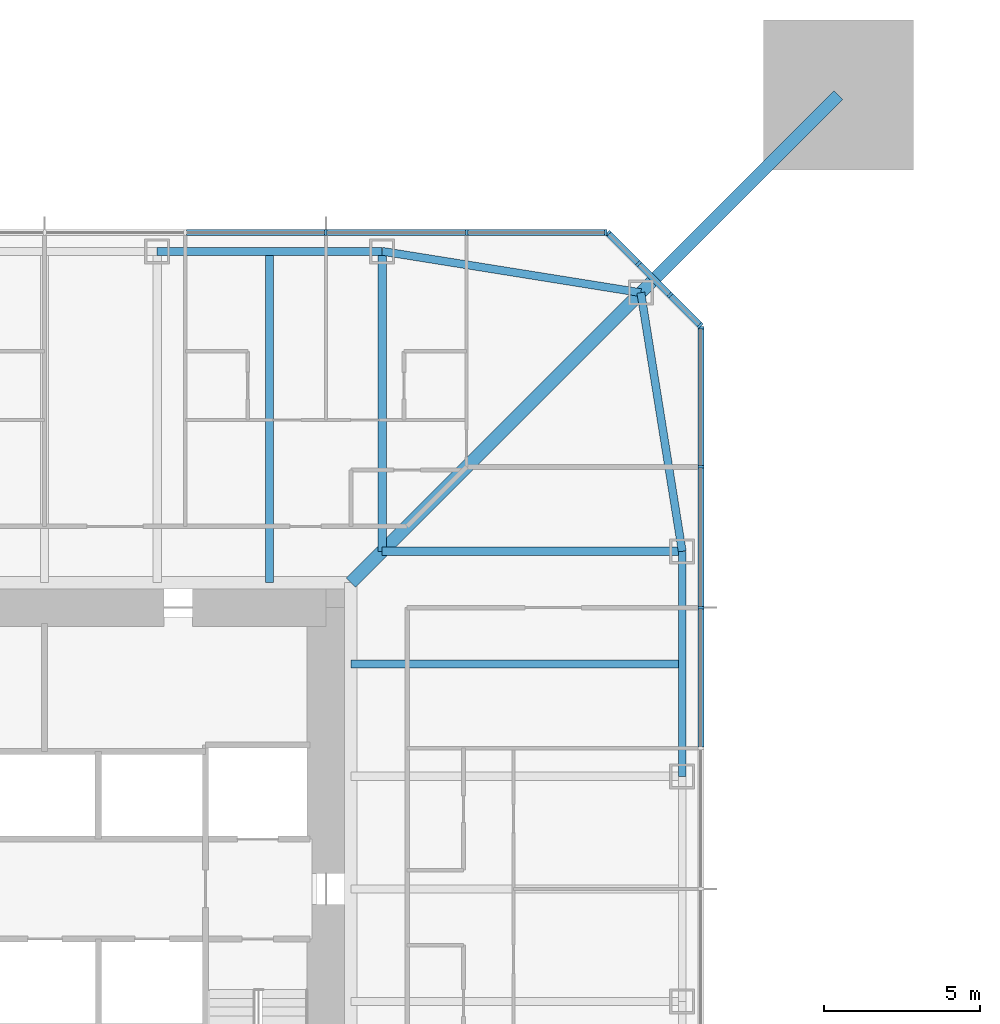
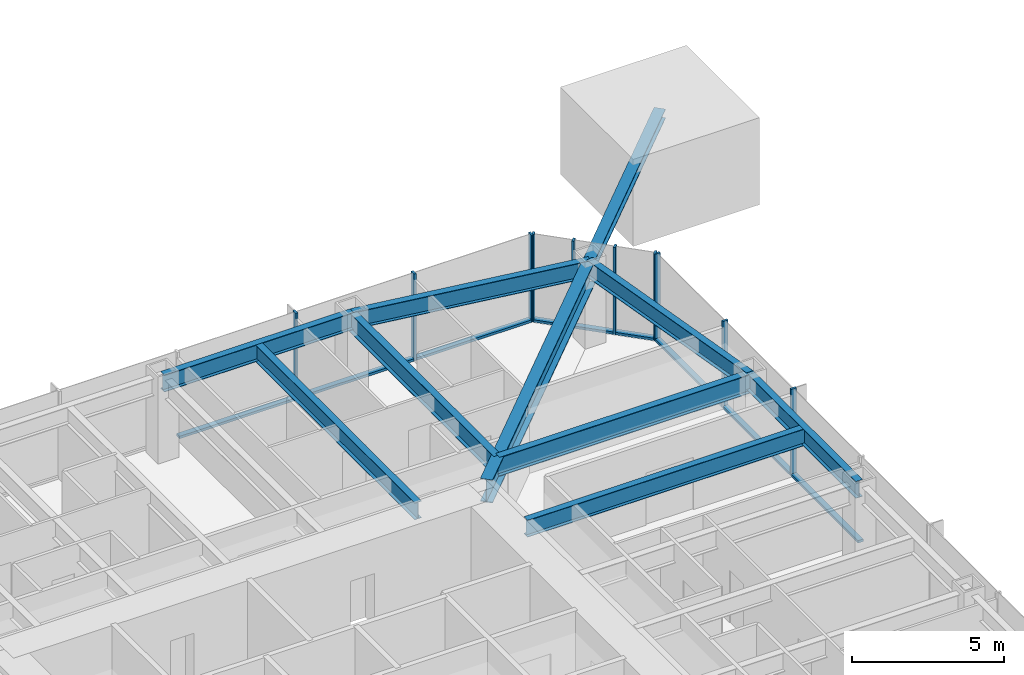
# One storey, part 7 of 25: 20 members, 9 beams, 3 elements without a shape of their own.
"""IFC4 building model written with IfcOpenShell, lengths in metres."""

from ifc_helpers import new_model, si_unit, direction, frame, origin, origin_2d, place, context, subcontext, project, spatial, rectangle, i_section, extrude, material, material_profile, profile_set, type_object, element, aggregate, save


model = new_model("IFC4")

# Units and contexts
model_context = context("Model", 3, precision=1e-05, world=origin(), true_north=direction((0.0, 1.0)))
body_context = subcontext(model_context, "Body", "Model", "MODEL_VIEW")
ifc_project = project(units=[si_unit("LENGTHUNIT", "METRE"), si_unit("AREAUNIT", "SQUARE_METRE"), si_unit("VOLUMEUNIT", "CUBIC_METRE"), si_unit("PLANEANGLEUNIT", "RADIAN"), si_unit("MASSUNIT", "GRAM", prefix="KILO")], contexts=[model_context])

# Site, building, storey
site_placement = place(None, origin())
site = spatial("IfcSite", under=ifc_project, at=site_placement, CompositionType="ELEMENT")
building_placement = place(site_placement, origin())
building = spatial("IfcBuilding", under=site, at=building_placement, Name="Iwan Alto Co-Living Towers", CompositionType="ELEMENT")
storey_placement = place(building_placement, frame((0.0, 0.0, 108.5)))
storey = spatial("IfcBuildingStorey", under=building, at=storey_placement, Name="L29", CompositionType="ELEMENT", Elevation=108.5)

# Curtain wall, members
ifc_material_1 = material(Name="Bronze aluminium unitised frame", Category="aluminium")
curtain_wall_type_1 = type_object("IfcCurtainWallType", Name="CURTAIN WALL CW-A", PredefinedType="NOTDEFINED", material=ifc_material_1)
curtain_wall_1_placement = place(storey_placement, origin())
curtain_wall_1 = element("IfcCurtainWall", 1, at=curtain_wall_1_placement, inside=storey, type_object=curtain_wall_type_1, Name="T1 curtain wall E L29", PredefinedType="NOTDEFINED")
ifc_material_2 = material(Name="Aluminium 6063-T6 bronze anodised", Category="aluminium")
ifc_material_profile_1 = material_profile(ifc_material_2, rectangle(XDim=0.199951171875, YDim=0.080078125, at=origin_2d()), Name="AL 80X200")
ifc_profile_set_1 = profile_set([ifc_material_profile_1], Name="Aluminium 6063-T6 bronze anodised")
member_type_1 = type_object("IfcMemberType", Name="CW-A MULLION 80X200", PredefinedType="MULLION", material=ifc_profile_set_1)
member_1_placement = place(storey_placement, frame((21.0, 9.0, 0.0), z_axis=(0.0, 0.0, 1.0), x_axis=(-1.0, 0.0, 0.0)))
member_1 = element("IfcMember", 2, at=member_1_placement, type_object=member_type_1, Name="CW-A mullion 7", PredefinedType="MULLION", context=body_context, shape_type="SweptSolid", body=[
    extrude(rectangle(XDim=0.199951171875, YDim=0.080078125, at=origin_2d()), origin(), (0.0, 0.0, 1.0), 3.5),
])
member_2_placement = place(storey_placement, frame((21.0, 13.5, 0.0), z_axis=(0.0, 0.0, 1.0), x_axis=(-1.0, 0.0, 0.0)))
member_2 = element("IfcMember", 3, at=member_2_placement, type_object=member_type_1, Name="CW-A mullion 8", PredefinedType="MULLION", context=body_context, shape_type="SweptSolid", body=[
    extrude(rectangle(XDim=0.199951171875, YDim=0.080078125, at=origin_2d()), origin(), (0.0, 0.0, 1.0), 3.5),
])
member_3_placement = place(storey_placement, frame((21.0, 17.9599609375, 0.0), z_axis=(0.0, 0.0, 1.0), x_axis=(-1.0, 0.0, 0.0)))
member_3 = element("IfcMember", 4, at=member_3_placement, type_object=member_type_1, Name="CW-A mullion 9", PredefinedType="MULLION", context=body_context, shape_type="SweptSolid", body=[
    extrude(rectangle(XDim=0.199951171875, YDim=0.080078125, at=origin_2d()), origin(), (0.0, 0.0, 1.0), 3.5),
])

curtain_wall_2_placement = place(storey_placement, origin())
curtain_wall_2 = element("IfcCurtainWall", 5, at=curtain_wall_2_placement, inside=storey, type_object=curtain_wall_type_1, Name="T1 curtain wall N L29", PredefinedType="NOTDEFINED")
member_4_placement = place(storey_placement, frame((17.9599609375, 21.0, 0.0), z_axis=(0.0, 0.0, 1.0), x_axis=(0.0, -1.0, 0.0)))
member_4 = element("IfcMember", 6, at=member_4_placement, type_object=member_type_1, Name="CW-A mullion 1", PredefinedType="MULLION", context=body_context, shape_type="SweptSolid", body=[
    extrude(rectangle(XDim=0.199951171875, YDim=0.080078125, at=origin_2d()), origin(), (0.0, 0.0, 1.0), 3.5),
])
member_5_placement = place(storey_placement, frame((13.5, 21.0, 0.0), z_axis=(0.0, 0.0, 1.0), x_axis=(0.0, -1.0, 0.0)))
member_5 = element("IfcMember", 7, at=member_5_placement, type_object=member_type_1, Name="CW-A mullion 2", PredefinedType="MULLION", context=body_context, shape_type="SweptSolid", body=[
    extrude(rectangle(XDim=0.199951171875, YDim=0.080078125, at=origin_2d()), origin(), (0.0, 0.0, 1.0), 3.5),
])
member_6_placement = place(storey_placement, frame((9.0, 21.0, 0.0), z_axis=(0.0, 0.0, 1.0), x_axis=(0.0, -1.0, 0.0)))
member_6 = element("IfcMember", 8, at=member_6_placement, type_object=member_type_1, Name="CW-A mullion 3", PredefinedType="MULLION", context=body_context, shape_type="SweptSolid", body=[
    extrude(rectangle(XDim=0.199951171875, YDim=0.080078125, at=origin_2d()), origin(), (0.0, 0.0, 1.0), 3.5),
])

# Member
ifc_material_3 = material(Name="Aluminium 6063-T6 bronze anodised", Category="aluminium")
ifc_material_profile_2 = material_profile(ifc_material_3, rectangle(XDim=0.199951171875, YDim=0.10009765625, at=origin_2d()), Name="AL 200X100")
ifc_profile_set_2 = profile_set([ifc_material_profile_2], Name="Aluminium 6063-T6 bronze anodised")
member_type_2 = type_object("IfcMemberType", Name="CW-A TRANSOM 200X100", PredefinedType="USERDEFINED", material=ifc_profile_set_2)
member_7_placement = place(storey_placement, frame((21.0, 4.5400390625, 0.050048828125), z_axis=(0.0, 1.0, 0.0), x_axis=(-1.0, 0.0, 0.0)))
member_7 = element("IfcMember", 9, at=member_7_placement, type_object=member_type_2, Name="CW-A transom 6.1", ObjectType="TRANSOM", PredefinedType="USERDEFINED", context=body_context, shape_type="SweptSolid", body=[
    extrude(rectangle(XDim=0.199951171875, YDim=0.10009765625, at=origin_2d()), origin(), (0.0, 0.0, 1.0), 4.419921875),
])

member_8_placement = place(storey_placement, frame((21.0, 9.0400390625, 0.050048828125), z_axis=(0.0, 1.0, 0.0), x_axis=(-1.0, 0.0, 0.0)))
member_8 = element("IfcMember", 10, at=member_8_placement, type_object=member_type_2, Name="CW-A transom 7.1", ObjectType="TRANSOM", PredefinedType="USERDEFINED", context=body_context, shape_type="SweptSolid", body=[
    extrude(rectangle(XDim=0.199951171875, YDim=0.10009765625, at=origin_2d()), origin(), (0.0, 0.0, 1.0), 4.419921875),
])

member_9_placement = place(storey_placement, frame((21.0, 13.5400390625, 0.050048828125), z_axis=(0.0, 1.0, 0.0), x_axis=(-1.0, 0.0, 0.0)))
member_9 = element("IfcMember", 11, at=member_9_placement, type_object=member_type_2, Name="CW-A transom 8.1", ObjectType="TRANSOM", PredefinedType="USERDEFINED", context=body_context, shape_type="SweptSolid", body=[
    extrude(rectangle(XDim=0.199951171875, YDim=0.10009765625, at=origin_2d()), origin(), (0.0, 0.0, 1.0), 4.3798828125),
])

aggregate(curtain_wall_1, [member_1, member_2, member_3, member_7, member_8, member_9])

member_10_placement = place(storey_placement, frame((17.919921875, 21.0, 0.050048828125), z_axis=(-1.0, 0.0, 0.0), x_axis=(0.0, -1.0, 0.0)))
member_10 = element("IfcMember", 12, at=member_10_placement, type_object=member_type_2, Name="CW-A transom 1.1", ObjectType="TRANSOM", PredefinedType="USERDEFINED", context=body_context, shape_type="SweptSolid", body=[
    extrude(rectangle(XDim=0.199951171875, YDim=0.10009765625, at=origin_2d()), origin(), (0.0, 0.0, 1.0), 4.3798828125),
])

member_11_placement = place(storey_placement, frame((13.4599609375, 21.0, 0.050048828125), z_axis=(-1.0, 0.0, 0.0), x_axis=(0.0, -1.0, 0.0)))
member_11 = element("IfcMember", 13, at=member_11_placement, type_object=member_type_2, Name="CW-A transom 2.1", ObjectType="TRANSOM", PredefinedType="USERDEFINED", context=body_context, shape_type="SweptSolid", body=[
    extrude(rectangle(XDim=0.199951171875, YDim=0.10009765625, at=origin_2d()), origin(), (0.0, 0.0, 1.0), 4.419921875),
])

member_12_placement = place(storey_placement, frame((8.9599609375, 21.0, 0.050048828125), z_axis=(-1.0, 0.0, 0.0), x_axis=(0.0, -1.0, 0.0)))
member_12 = element("IfcMember", 14, at=member_12_placement, type_object=member_type_2, Name="CW-A transom 3.1", ObjectType="TRANSOM", PredefinedType="USERDEFINED", context=body_context, shape_type="SweptSolid", body=[
    extrude(rectangle(XDim=0.199951171875, YDim=0.10009765625, at=origin_2d()), origin(), (0.0, 0.0, 1.0), 4.419921875),
])

aggregate(curtain_wall_2, [member_4, member_5, member_6, member_10, member_11, member_12])

# Curtain wall, members
ifc_material_4 = material(Name="Bronze aluminium unitised frame", Category="aluminium")
curtain_wall_type_2 = type_object("IfcCurtainWallType", Name="CURTAIN WALL CW-B", PredefinedType="NOTDEFINED", material=ifc_material_4)
curtain_wall_3_placement = place(storey_placement, origin())
curtain_wall_3 = element("IfcCurtainWall", 15, at=curtain_wall_3_placement, inside=storey, type_object=curtain_wall_type_2, Name="T1 chamfer curtain wall NE L29", PredefinedType="NOTDEFINED")
ifc_material_5 = material(Name="Aluminium 6063-T6 bronze anodised", Category="aluminium")
ifc_material_profile_3 = material_profile(ifc_material_5, rectangle(XDim=0.199951171875, YDim=0.080078125, at=origin_2d()), Name="AL 80X200")
ifc_profile_set_3 = profile_set([ifc_material_profile_3], Name="Aluminium 6063-T6 bronze anodised")
member_type_3 = type_object("IfcMemberType", Name="CW-B MULLION 80X200", PredefinedType="MULLION", material=ifc_profile_set_3)
member_13_placement = place(storey_placement, frame((20.9716796875, 18.0283203125, 0.0), z_axis=(0.0, 0.0, 1.0), x_axis=(-0.707106781187, -0.707106781187, 0.0)))
member_13 = element("IfcMember", 16, at=member_13_placement, type_object=member_type_3, Name="CW-B mullion 1", PredefinedType="MULLION", context=body_context, shape_type="SweptSolid", body=[
    extrude(rectangle(XDim=0.199951171875, YDim=0.080078125, at=origin_2d()), origin(), (0.0, 0.0, 1.0), 3.5),
])
member_14_placement = place(storey_placement, frame((20.0, 19.0, 0.0), z_axis=(0.0, 0.0, 1.0), x_axis=(-0.707106781187, -0.707106781187, 0.0)))
member_14 = element("IfcMember", 17, at=member_14_placement, type_object=member_type_3, Name="CW-B mullion 2", PredefinedType="MULLION", context=body_context, shape_type="SweptSolid", body=[
    extrude(rectangle(XDim=0.199951171875, YDim=0.080078125, at=origin_2d()), origin(), (0.0, 0.0, 1.0), 3.5),
])
member_15_placement = place(storey_placement, frame((19.0, 20.0, 0.0), z_axis=(0.0, 0.0, 1.0), x_axis=(-0.707106781187, -0.707106781187, 0.0)))
member_15 = element("IfcMember", 18, at=member_15_placement, type_object=member_type_3, Name="CW-B mullion 3", PredefinedType="MULLION", context=body_context, shape_type="SweptSolid", body=[
    extrude(rectangle(XDim=0.199951171875, YDim=0.080078125, at=origin_2d()), origin(), (0.0, 0.0, 1.0), 3.5),
])
member_16_placement = place(storey_placement, frame((18.0283203125, 20.9716796875, 0.0), z_axis=(0.0, 0.0, 1.0), x_axis=(-0.707106781187, -0.707106781187, 0.0)))
member_16 = element("IfcMember", 19, at=member_16_placement, type_object=member_type_3, Name="CW-B mullion 4", PredefinedType="MULLION", context=body_context, shape_type="SweptSolid", body=[
    extrude(rectangle(XDim=0.199951171875, YDim=0.080078125, at=origin_2d()), origin(), (0.0, 0.0, 1.0), 3.5),
])
ifc_material_6 = material(Name="Aluminium 6063-T6 bronze anodised", Category="aluminium")
ifc_material_profile_4 = material_profile(ifc_material_6, rectangle(XDim=0.199951171875, YDim=0.10009765625, at=origin_2d()), Name="AL 200X100")
ifc_profile_set_4 = profile_set([ifc_material_profile_4], Name="Aluminium 6063-T6 bronze anodised")
member_type_4 = type_object("IfcMemberType", Name="CW-B TRANSOM 200X100", PredefinedType="USERDEFINED", material=ifc_profile_set_4)
member_17_placement = place(storey_placement, frame((20.943359375, 18.056640625, 0.050048828125), z_axis=(-0.707106781187, 0.707106781187, 0.0), x_axis=(-0.707106781187, -0.707106781187, 0.0)))
member_17 = element("IfcMember", 20, at=member_17_placement, type_object=member_type_4, Name="CW-B transom 1.1", ObjectType="TRANSOM", PredefinedType="USERDEFINED", context=body_context, shape_type="SweptSolid", body=[
    extrude(rectangle(XDim=0.199951171875, YDim=0.10009765625, at=origin_2d()), origin(), (0.0, 0.0, 1.0), 1.2939453125),
])
member_18_placement = place(storey_placement, frame((19.9716796875, 19.0283203125, 0.050048828125), z_axis=(-0.707106781187, 0.707106781187, 0.0), x_axis=(-0.707106781187, -0.707106781187, 0.0)))
member_18 = element("IfcMember", 21, at=member_18_placement, type_object=member_type_4, Name="CW-B transom 2.1", ObjectType="TRANSOM", PredefinedType="USERDEFINED", context=body_context, shape_type="SweptSolid", body=[
    extrude(rectangle(XDim=0.199951171875, YDim=0.10009765625, at=origin_2d()), origin(), (0.0, 0.0, 1.0), 1.334228515625),
])
member_19_placement = place(storey_placement, frame((18.9716796875, 20.0283203125, 0.050048828125), z_axis=(-0.707106781187, 0.707106781187, 0.0), x_axis=(-0.707106781187, -0.707106781187, 0.0)))
member_19 = element("IfcMember", 22, at=member_19_placement, type_object=member_type_4, Name="CW-B transom 3.1", ObjectType="TRANSOM", PredefinedType="USERDEFINED", context=body_context, shape_type="SweptSolid", body=[
    extrude(rectangle(XDim=0.199951171875, YDim=0.10009765625, at=origin_2d()), origin(), (0.0, 0.0, 1.0), 1.2939453125),
])
aggregate(curtain_wall_3, [member_13, member_14, member_15, member_16, member_17, member_18, member_19])

# Beams
ifc_material_7 = material(Name="Steel ASTM A992 Gr 50", Category="steel")
ifc_material_profile_5 = material_profile(ifc_material_7, i_section(OverallWidth=0.419189453125, OverallDepth=0.927001953125, WebThickness=0.019287109375, FlangeThickness=0.031982421875, at=origin_2d()), Name="W36X231")
ifc_profile_set_5 = profile_set([ifc_material_profile_5], Name="Steel ASTM A992 Gr 50")
beam_type_1 = type_object("IfcBeamType", Name="T1 CORNER GIRDER W36X231", PredefinedType="BEAM", material=ifc_profile_set_5)
beam_1_placement = place(storey_placement, frame((19.07568359375, 19.07568359375, 2.806396484375), z_axis=(-0.707106781187, -0.707106781187, 0.0), x_axis=(0.707106781187, -0.707106781187, 0.0)))
element("IfcBeam", 23, at=beam_1_placement, inside=storey, type_object=beam_type_1, Name="T1 corner girder CNE L30", PredefinedType="BEAM", context=body_context, shape_type="SweptSolid", body=[
    extrude(i_section(OverallWidth=0.419189453125, OverallDepth=0.927001953125, WebThickness=0.019287109375, FlangeThickness=0.031982421875, at=origin_2d()), origin(), (0.0, 0.0, 1.0), 13.11865234375),
])
ifc_material_8 = material(Name="Steel ASTM A992 Gr 50", Category="steel")
ifc_material_profile_6 = material_profile(ifc_material_8, i_section(OverallWidth=0.25390625, OverallDepth=0.683349609375, WebThickness=0.012451171875, FlangeThickness=0.018798828125, at=origin_2d()), Name="W27X94")
ifc_profile_set_6 = profile_set([ifc_material_profile_6], Name="Steel ASTM A992 Gr 50")
beam_type_2 = type_object("IfcBeamType", Name="T1 EDGE BEAM W27X94", PredefinedType="BEAM", material=ifc_profile_set_6)
beam_2_placement = place(storey_placement, frame((20.39990234375, 3.60009765625, 2.928466796875), z_axis=(0.0, 1.0, 0.0), x_axis=(-1.0, 0.0, 0.0)))
element("IfcBeam", 24, at=beam_2_placement, inside=storey, type_object=beam_type_2, Name="T1 edge beam E3 L30", PredefinedType="BEAM", context=body_context, shape_type="SweptSolid", body=[
    extrude(i_section(OverallWidth=0.25390625, OverallDepth=0.683349609375, WebThickness=0.012451171875, FlangeThickness=0.018798828125, at=origin_2d()), origin(), (0.0, 0.0, 1.0), 7.199951171875),
])
for number, where, z_axis, x_axis, name in (
    (25, (20.39990234375, 10.800048828125, 2.928466796875), (-0.158004134737, 0.987438450439, 0.0), (-0.987438450439, -0.158004134737, 0.0), "T1 edge beam E4 L30"),
    (26, (19.07568359375, 19.07568359375, 2.928466796875), (-0.987438450439, 0.158004134737, 0.0), (-0.158004134737, -0.987438450439, 0.0), "T1 edge beam CNE L30"),
):
    element("IfcBeam", number, at=place(storey_placement, frame(where, z_axis=z_axis, x_axis=x_axis)), inside=storey, type_object=beam_type_2, Name=name, PredefinedType="BEAM", context=body_context, shape_type="SweptSolid", body=[
        extrude(i_section(OverallWidth=0.25390625, OverallDepth=0.683349609375, WebThickness=0.012451171875, FlangeThickness=0.018798828125, at=origin_2d()), origin(), (0.0, 0.0, 1.0), 8.380859375),
    ])
beam_3_placement = place(storey_placement, frame((10.800048828125, 20.39990234375, 2.928466796875), z_axis=(-1.0, 0.0, 0.0), x_axis=(0.0, -1.0, 0.0)))
element("IfcBeam", 27, at=beam_3_placement, inside=storey, type_object=beam_type_2, Name="T1 edge beam N1 L30", PredefinedType="BEAM", context=body_context, shape_type="SweptSolid", body=[
    extrude(i_section(OverallWidth=0.25390625, OverallDepth=0.683349609375, WebThickness=0.012451171875, FlangeThickness=0.018798828125, at=origin_2d()), origin(), (0.0, 0.0, 1.0), 7.199951171875),
])

# Member
ifc_material_9 = material(Name="Steel ASTM A992 Gr 50", Category="steel")
ifc_material_profile_7 = material_profile(ifc_material_9, i_section(OverallWidth=0.393798828125, OverallDepth=0.3759765625, WebThickness=0.017333984375, FlangeThickness=0.027587890625, at=origin_2d()), Name="W14X145")
ifc_profile_set_7 = profile_set([ifc_material_profile_7], Name="Steel ASTM A992 Gr 50")
member_type_5 = type_object("IfcMemberType", Name="T1 MEGA COLUMN FLOOR TIE W14X145", PredefinedType="STRUT", material=ifc_profile_set_7)
member_20_placement = place(storey_placement, frame((25.39990234375, 25.39990234375, 3.08203125), z_axis=(-0.707106781187, -0.707106781187, 0.0), x_axis=(0.707106781187, -0.707106781187, 0.0)))
element("IfcMember", 28, at=member_20_placement, inside=storey, type_object=member_type_5, Name="T1 mega column floor tie NE L30", PredefinedType="STRUT", context=body_context, shape_type="SweptSolid", body=[
    extrude(i_section(OverallWidth=0.393798828125, OverallDepth=0.3759765625, WebThickness=0.017333984375, FlangeThickness=0.027587890625, at=origin_2d()), origin(), (0.0, 0.0, 1.0), 8.94384765625),
])

# Beams
ifc_material_10 = material(Name="Steel ASTM A992 Gr 50", Category="steel")
ifc_material_profile_8 = material_profile(ifc_material_10, i_section(OverallWidth=0.2666015625, OverallDepth=0.761962890625, WebThickness=0.014404296875, FlangeThickness=0.021484375, at=origin_2d()), Name="W30X116")
ifc_profile_set_8 = profile_set([ifc_material_profile_8], Name="Steel ASTM A992 Gr 50")
beam_type_3 = type_object("IfcBeamType", Name="T1 RADIAL BEAM W30X116", PredefinedType="BEAM", material=ifc_profile_set_8)
for number, where, z_axis, x_axis, name in (
    (29, (20.39990234375, 10.800048828125, 2.888916015625), (-1.0, 0.0, 0.0), (0.0, -1.0, 0.0), "T1 radial beam E4 L30"),
    (30, (10.800048828125, 20.39990234375, 2.888916015625), (0.0, -1.0, 0.0), (1.0, 0.0, 0.0), "T1 radial beam N1 L30"),
):
    element("IfcBeam", number, at=place(storey_placement, frame(where, z_axis=z_axis, x_axis=x_axis)), inside=storey, type_object=beam_type_3, Name=name, PredefinedType="BEAM", context=body_context, shape_type="SweptSolid", body=[
        extrude(i_section(OverallWidth=0.2666015625, OverallDepth=0.761962890625, WebThickness=0.014404296875, FlangeThickness=0.021484375, at=origin_2d()), origin(), (0.0, 0.0, 1.0), 9.599853515625),
    ])
ifc_material_11 = material(Name="Steel ASTM A992 Gr 50", Category="steel")
ifc_material_profile_9 = material_profile(ifc_material_11, i_section(OverallWidth=0.25390625, OverallDepth=0.683349609375, WebThickness=0.012451171875, FlangeThickness=0.018798828125, at=origin_2d()), Name="W27X94")
ifc_profile_set_9 = profile_set([ifc_material_profile_9], Name="Steel ASTM A992 Gr 50")
beam_type_4 = type_object("IfcBeamType", Name="T1 SECONDARY BEAM W27X94", PredefinedType="JOIST", material=ifc_profile_set_9)
for number, where, z_axis, x_axis, name in (
    (31, (20.39990234375, 7.199951171875, 2.928466796875), (-1.0, 0.0, 0.0), (0.0, -1.0, 0.0), "T1 secondary beam E3 L30"),
    (32, (7.199951171875, 20.39990234375, 2.928466796875), (0.0, -1.0, 0.0), (1.0, 0.0, 0.0), "T1 secondary beam N1 L30"),
):
    element("IfcBeam", number, at=place(storey_placement, frame(where, z_axis=z_axis, x_axis=x_axis)), inside=storey, type_object=beam_type_4, Name=name, PredefinedType="JOIST", context=body_context, shape_type="SweptSolid", body=[
        extrude(i_section(OverallWidth=0.25390625, OverallDepth=0.683349609375, WebThickness=0.012451171875, FlangeThickness=0.018798828125, at=origin_2d()), origin(), (0.0, 0.0, 1.0), 10.6005859375),
    ])

save(model, "model.ifc")
